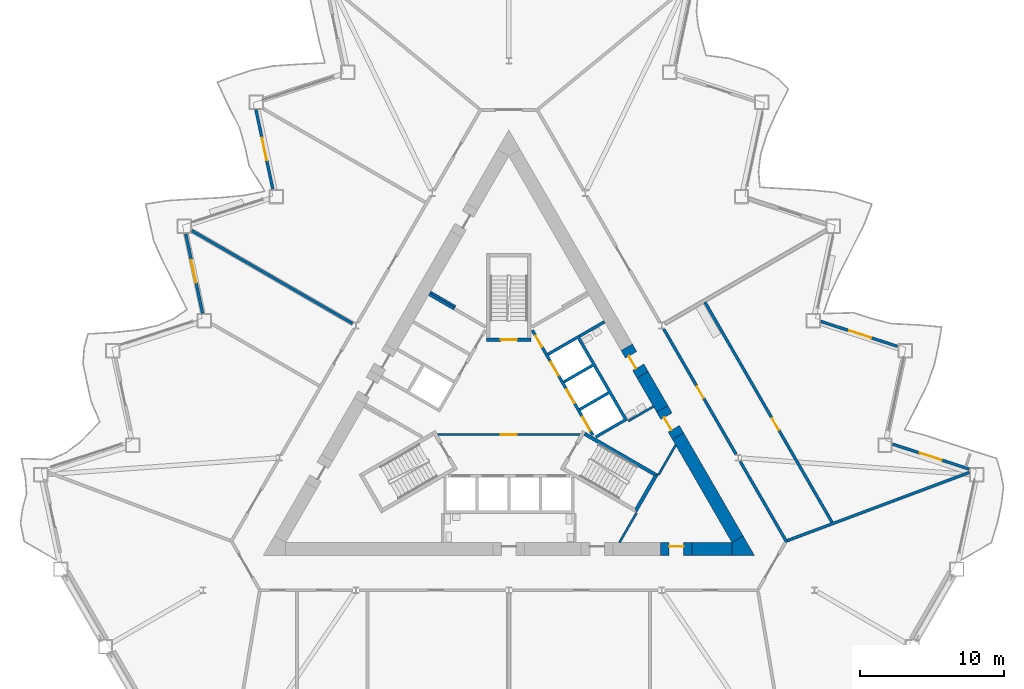
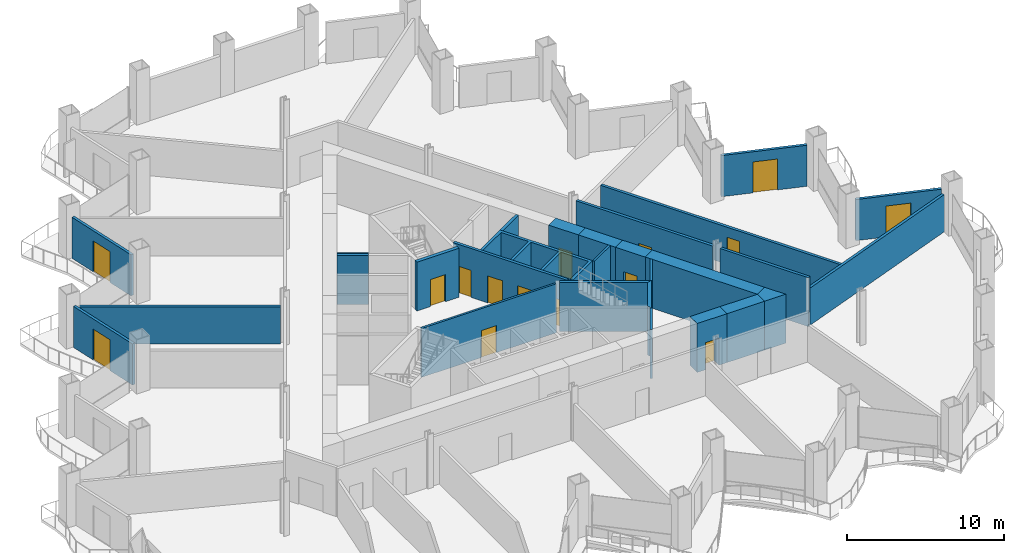
# One storey, part 11 of 20: 28 walls, 15 doors, 15 openings.
"""IFC4 building model written with IfcOpenShell, lengths in metres."""

from ifc_helpers import new_model, si_unit, direction, frame, frame_2d, origin, place, context, subcontext, project, spatial, polyline, rectangle, outline, extrude, material, layer, layer_set, type_object, element, fill, save


model = new_model("IFC4")

# Units and contexts
model_context = context("Model", 3, precision=1e-05, world=origin(), true_north=direction((0.0, 1.0)))
body_context = subcontext(model_context, "Body", "Model", "MODEL_VIEW")
ifc_project = project(units=[si_unit("LENGTHUNIT", "METRE"), si_unit("AREAUNIT", "SQUARE_METRE"), si_unit("VOLUMEUNIT", "CUBIC_METRE"), si_unit("PLANEANGLEUNIT", "RADIAN"), si_unit("MASSUNIT", "GRAM", prefix="KILO")], contexts=[model_context])

# Site, building, storey
site_placement = place(None, origin())
site = spatial("IfcSite", under=ifc_project, at=site_placement, CompositionType="ELEMENT")
building_placement = place(site_placement, origin())
building = spatial("IfcBuilding", under=site, at=building_placement, Name="Cormorant Prow Tower", CompositionType="ELEMENT")
storey_placement = place(building_placement, frame((0.0, 0.0, 55.199951171875)))
storey = spatial("IfcBuildingStorey", under=building, at=storey_placement, Name="L11", CompositionType="ELEMENT", Elevation=55.199951171875)

# Wall, opening, door
ifc_material_1 = material(Name="Gypsum board partition")
ifc_layer_1 = layer(ifc_material_1, 0.14990234375)
ifc_layer_set_1 = layer_set([ifc_layer_1], Name="Gypsum board partition")
wall_type_1 = type_object("IfcWallType", Name="Core partition 150", PredefinedType="PARTITIONING", material=ifc_layer_set_1)
wall_1_placement = place(storey_placement, frame((-4.941162109375, -1.449951171875, 0.0), z_axis=(0.0, 0.0, 1.0), x_axis=(1.0, 0.0, 0.0)))
wall_1 = element("IfcWall", 1, at=wall_1_placement, inside=storey, type_object=wall_type_1, Name="Firefighting lobby partition", PredefinedType="PARTITIONING", context=body_context, shape_type="SweptSolid", body=[
    extrude(rectangle(XDim=9.88232421875, YDim=0.14990234375, at=frame_2d((4.941162109375, 0.0))), origin(), (0.0, 0.0, 1.0), 3.800048828125),
])
opening_1_placement = place(wall_1_placement, frame((4.39111328125, 0.0, 0.0)))
opening_1 = element("IfcOpeningElement", 2, at=opening_1_placement, cuts=wall_1, Name="Opening L11-C11", PredefinedType="OPENING", context=body_context, shape_type="SweptSolid", body=[
    extrude(rectangle(XDim=1.10009765625, YDim=2.10009765625, at=frame_2d((0.550048828125, 1.050048828125))), frame((0.0, 0.0849609375, 0.0), z_axis=(0.0, -1.0, 0.0), x_axis=(1.0, 0.0, 0.0)), (0.0, 0.0, 1.0), 0.169921875),
])
ifc_material_2 = material(Name="Painted steel", Category="steel")
door_type_1 = type_object("IfcDoorType", Name="Firefighting lobby door 1100x2100", OperationType="NOTDEFINED", PredefinedType="DOOR", material=ifc_material_2)
door_1_placement = place(opening_1_placement, origin())
door_1 = element("IfcDoor", 3, at=door_1_placement, inside=storey, type_object=door_type_1, Name="Firefighting lobby door", OperationType="SINGLE_SWING_RIGHT", OverallHeight=2.10009765625, OverallWidth=1.10009765625, PredefinedType="DOOR", context=body_context, shape_type="SweptSolid", body=[
    extrude(rectangle(XDim=1.10009765625, YDim=2.10009765625, at=frame_2d((0.550048828125, 1.050048828125))), frame((0.0, 0.02490234375, 0.0), z_axis=(0.0, -1.0, 0.0), x_axis=(1.0, 0.0, 0.0)), (0.0, 0.0, 1.0), 0.050048828125),
])
fill(opening_1, door_1)

# Walls
for number, where, z_axis, x_axis, name in (
    (4, (8.268310546875, -0.509033203125, 0.0), (0.0, 0.0, 1.0), (0.866035824272, 0.499981950752, 0.0), "Service room partition"),
    (5, (-3.693359375, 7.4150390625, 0.0), (0.0, 0.0, 1.0), (-0.866035824272, 0.499981950752, 0.0), "Service room partition"),
):
    element("IfcWall", number, at=place(storey_placement, frame(where, z_axis=z_axis, x_axis=x_axis)), inside=storey, type_object=wall_type_1, Name=name, PredefinedType="PARTITIONING", context=body_context, shape_type="SweptSolid", body=[
        extrude(rectangle(XDim=2.0087890625, YDim=0.14990234375, at=frame_2d((1.00439453125, 0.0))), origin(), (0.0, 0.0, 1.0), 3.800048828125),
    ])
wall_2_placement = place(storey_placement, frame((8.82958984375, -6.880615234375, 0.0), z_axis=(0.0, 0.0, 1.0), x_axis=(-0.500073279432, -0.865983091751, 0.0)))
element("IfcWall", 6, at=wall_2_placement, inside=storey, type_object=wall_type_1, Name="Service room partition", PredefinedType="PARTITIONING", context=body_context, shape_type="SweptSolid", body=[
    extrude(rectangle(XDim=2.349365234375, YDim=0.14990234375, at=frame_2d((1.1748046875, 0.0))), origin(), (0.0, 0.0, 1.0), 3.800048828125),
])
wall_3_placement = place(storey_placement, frame((10.37353515625, -4.206298828125, 0.0), z_axis=(0.0, 0.0, 1.0), x_axis=(0.499995339376, 0.86602809458, 0.0)))
element("IfcWall", 7, at=wall_3_placement, inside=storey, type_object=wall_type_1, Name="Service room partition", PredefinedType="PARTITIONING", context=body_context, shape_type="SweptSolid", body=[
    extrude(rectangle(XDim=2.34912109375, YDim=0.14990234375, at=frame_2d((1.174560546875, 0.0))), origin(), (0.0, 0.0, 1.0), 3.800048828125),
])
ifc_material_3 = material(Name="Concrete 8000 psi", Category="concrete")
ifc_layer_2 = layer(ifc_material_3, 0.89990234375)
ifc_layer_set_2 = layer_set([ifc_layer_2], Name="Concrete 8000 psi")
wall_type_2 = type_object("IfcWallType", Name="Core shear wall 900", PredefinedType="SHEAR", material=ifc_layer_set_2)
wall_4_placement = place(storey_placement, frame((12.69140625, -9.364990234375, 0.0), z_axis=(0.0, 0.0, 1.0), x_axis=(1.0, 0.0, 0.0)))
element("IfcWall", 8, at=wall_4_placement, inside=storey, type_object=wall_type_2, Name="Core wall", PredefinedType="SHEAR", context=body_context, shape_type="SweptSolid", body=[
    extrude(rectangle(XDim=2.749755859375, YDim=0.89990234375, at=frame_2d((1.375, 0.0))), origin(), (0.0, 0.0, 1.0), 3.800048828125),
])
wall_5_placement = place(storey_placement, frame((15.830810546875, -8.68994140625, 0.0), z_axis=(0.0, 0.0, 1.0), x_axis=(-0.499995435471, 0.8660280391, 0.0)))
element("IfcWall", 9, at=wall_5_placement, inside=storey, type_object=wall_type_2, Name="Core wall", PredefinedType="SHEAR", context=body_context, shape_type="SweptSolid", body=[
    extrude(rectangle(XDim=8.23193359375, YDim=0.89990234375, at=frame_2d((4.115966796875, 0.0))), origin(), (0.0, 0.0, 1.0), 3.800048828125),
])
wall_6_placement = place(storey_placement, frame((10.614990234375, 0.344482421875, 0.0), z_axis=(0.0, 0.0, 1.0), x_axis=(-0.500044870432, 0.865999496279, 0.0)))
element("IfcWall", 10, at=wall_6_placement, inside=storey, type_object=wall_type_2, Name="Core wall", PredefinedType="SHEAR", context=body_context, shape_type="SweptSolid", body=[
    extrude(rectangle(XDim=2.709228515625, YDim=0.89990234375, at=frame_2d((1.3544921875, 0.0))), origin(), (0.0, 0.0, 1.0), 3.800048828125),
])
wall_7_placement = place(storey_placement, origin())
element("IfcWall", 11, at=wall_7_placement, inside=storey, type_object=wall_type_2, Name="Core wall corner", PredefinedType="SHEAR", context=body_context, shape_type="SweptSolid", body=[
    extrude(outline(polyline([(15.441162109375, -9.81494140625), (15.441162109375, -8.9150390625), (16.220703125, -8.465087890625), (17.0, -9.81494140625), (15.441162109375, -9.81494140625)])), origin(), (0.0, 0.0, 1.0), 3.800048828125),
])

# Wall, opening, door
wall_8_placement = place(storey_placement, frame((10.491455078125, -9.364990234375, 0.0), z_axis=(0.0, 0.0, 1.0), x_axis=(1.0, 0.0, 0.0)))
wall_8 = element("IfcWall", 12, at=wall_8_placement, inside=storey, type_object=wall_type_2, Name="Core wall door panel", PredefinedType="SHEAR", context=body_context, shape_type="SweptSolid", body=[
    extrude(rectangle(XDim=2.199951171875, YDim=0.89990234375, at=frame_2d((1.10009765625, 0.0))), origin(), (0.0, 0.0, 1.0), 3.800048828125),
])
opening_2_placement = place(wall_8_placement, frame((0.60009765625, 0.0, 0.0)))
opening_2 = element("IfcOpeningElement", 13, at=opening_2_placement, cuts=wall_8, Name="Opening L11-C17", PredefinedType="OPENING", context=body_context, shape_type="SweptSolid", body=[
    extrude(rectangle(XDim=1.0, YDim=2.10009765625, at=frame_2d((0.5, 1.050048828125))), frame((0.0, 0.4599609375, 0.0), z_axis=(0.0, -1.0, 0.0), x_axis=(1.0, 0.0, 0.0)), (0.0, 0.0, 1.0), 0.919921875),
])
ifc_material_4 = material(Name="Painted steel", Category="steel")
door_type_2 = type_object("IfcDoorType", Name="Service door 1000x2100", OperationType="NOTDEFINED", PredefinedType="DOOR", material=ifc_material_4)
door_2_placement = place(opening_2_placement, origin())
door_2 = element("IfcDoor", 14, at=door_2_placement, inside=storey, type_object=door_type_2, Name="Core door, Mechanical riser room", OperationType="SINGLE_SWING_LEFT", OverallHeight=2.10009765625, OverallWidth=1.0, PredefinedType="DOOR", context=body_context, shape_type="SweptSolid", body=[
    extrude(rectangle(XDim=1.0, YDim=2.10009765625, at=frame_2d((0.5, 1.050048828125))), frame((0.0, 0.205078125, 0.0), z_axis=(0.0, -1.0, 0.0), x_axis=(1.0, 0.0, 0.0)), (0.0, 0.0, 1.0), 0.050048828125),
])
fill(opening_2, door_2)

wall_9_placement = place(storey_placement, frame((9.26025390625, 2.690673828125, 0.0), z_axis=(0.0, 0.0, 1.0), x_axis=(-0.499946605688, 0.86605622881, 0.0)))
wall_9 = element("IfcWall", 15, at=wall_9_placement, inside=storey, type_object=wall_type_2, Name="Core wall door panel", PredefinedType="SHEAR", context=body_context, shape_type="SweptSolid", body=[
    extrude(rectangle(XDim=2.199951171875, YDim=0.89990234375, at=frame_2d((1.10009765625, 0.0))), origin(), (0.0, 0.0, 1.0), 3.800048828125),
])
opening_3_placement = place(wall_9_placement, frame((0.60009765625, 0.0, 0.0)))
opening_3 = element("IfcOpeningElement", 16, at=opening_3_placement, cuts=wall_9, Name="Opening L11-C18", PredefinedType="OPENING", context=body_context, shape_type="SweptSolid", body=[
    extrude(rectangle(XDim=1.0, YDim=2.10009765625, at=frame_2d((0.5, 1.050048828125))), frame((0.0, 0.4599609375, 0.0), z_axis=(0.0, -1.0, 0.0), x_axis=(1.0, 0.0, 0.0)), (0.0, 0.0, 1.0), 0.919921875),
])
door_3_placement = place(opening_3_placement, origin())
door_3 = element("IfcDoor", 17, at=door_3_placement, inside=storey, type_object=door_type_2, Name="Core door, Toilets (men) L11", OperationType="SINGLE_SWING_RIGHT", OverallHeight=2.10009765625, OverallWidth=1.0, PredefinedType="DOOR", context=body_context, shape_type="SweptSolid", body=[
    extrude(rectangle(XDim=1.0, YDim=2.10009765625, at=frame_2d((0.5, 1.050048828125))), frame((0.0, 0.205078125, 0.0), z_axis=(0.0, -1.0, 0.0), x_axis=(1.0, 0.0, 0.0)), (0.0, 0.0, 1.0), 0.050048828125),
])
fill(opening_3, door_3)

wall_10_placement = place(storey_placement, frame((11.71484375, -1.560791015625, 0.0), z_axis=(0.0, 0.0, 1.0), x_axis=(-0.499946605688, 0.86605622881, 0.0)))
wall_10 = element("IfcWall", 18, at=wall_10_placement, inside=storey, type_object=wall_type_2, Name="Core wall door panel", PredefinedType="SHEAR", context=body_context, shape_type="SweptSolid", body=[
    extrude(rectangle(XDim=2.199951171875, YDim=0.89990234375, at=frame_2d((1.10009765625, 0.0))), origin(), (0.0, 0.0, 1.0), 3.800048828125),
])
opening_4_placement = place(wall_10_placement, frame((0.60009765625, 0.0, 0.0)))
opening_4 = element("IfcOpeningElement", 19, at=opening_4_placement, cuts=wall_10, Name="Opening L11-C21", PredefinedType="OPENING", context=body_context, shape_type="SweptSolid", body=[
    extrude(rectangle(XDim=1.0, YDim=2.10009765625, at=frame_2d((0.5, 1.050048828125))), frame((0.0, 0.4599609375, 0.0), z_axis=(0.0, -1.0, 0.0), x_axis=(1.0, 0.0, 0.0)), (0.0, 0.0, 1.0), 0.919921875),
])
door_4_placement = place(opening_4_placement, origin())
door_4 = element("IfcDoor", 20, at=door_4_placement, inside=storey, type_object=door_type_2, Name="Core door, Mechanical riser room", OperationType="SINGLE_SWING_LEFT", OverallHeight=2.10009765625, OverallWidth=1.0, PredefinedType="DOOR", context=body_context, shape_type="SweptSolid", body=[
    extrude(rectangle(XDim=1.0, YDim=2.10009765625, at=frame_2d((0.5, 1.050048828125))), frame((0.0, 0.205078125, 0.0), z_axis=(0.0, -1.0, 0.0), x_axis=(1.0, 0.0, 0.0)), (0.0, 0.0, 1.0), 0.050048828125),
])
fill(opening_4, door_4)

ifc_material_5 = material(Name="Gypsum board corridor wall")
ifc_layer_3 = layer(ifc_material_5, 0.199951171875)
ifc_layer_set_3 = layer_set([ifc_layer_3], Name="Gypsum board corridor wall")
wall_type_3 = type_object("IfcWallType", Name="Corridor wall 200", PredefinedType="PARTITIONING", material=ifc_layer_set_3)
wall_11_placement = place(storey_placement, frame((10.718505859375, 5.865234375, 0.0), z_axis=(0.0, 0.0, 1.0), x_axis=(0.49999175339, -0.866030164915, 0.0)))
wall_11 = element("IfcWall", 21, at=wall_11_placement, inside=storey, type_object=wall_type_3, Name="Corridor wall", PredefinedType="PARTITIONING", context=body_context, shape_type="SweptSolid", body=[
    extrude(rectangle(XDim=10.018798828125, YDim=0.199951171875, at=frame_2d((5.00927734375, 0.0))), origin(), (0.0, 0.0, 1.0), 3.800048828125),
])
opening_5_placement = place(wall_11_placement, frame((4.5849609375, 0.0, 0.0)))
opening_5 = element("IfcOpeningElement", 22, at=opening_5_placement, cuts=wall_11, Name="Opening L11-F07", PredefinedType="OPENING", context=body_context, shape_type="SweptSolid", body=[
    extrude(rectangle(XDim=0.949951171875, YDim=2.10009765625, at=frame_2d((0.47509765625, 1.050048828125))), frame((0.0, 0.10986328125, 0.0), z_axis=(0.0, -1.0, 0.0), x_axis=(1.0, 0.0, 0.0)), (0.0, 0.0, 1.0), 0.219970703125),
])
ifc_material_6 = material(Name="Timber door leaf", Category="wood")
door_type_3 = type_object("IfcDoorType", Name="Store door 950x2100", OperationType="NOTDEFINED", PredefinedType="DOOR", material=ifc_material_6)
door_5_placement = place(opening_5_placement, origin())
door_5 = element("IfcDoor", 23, at=door_5_placement, inside=storey, type_object=door_type_3, Name="Tea point and pantry door", OperationType="SINGLE_SWING_LEFT", OverallHeight=2.10009765625, OverallWidth=0.949951171875, PredefinedType="DOOR", context=body_context, shape_type="SweptSolid", body=[
    extrude(rectangle(XDim=0.949951171875, YDim=2.10009765625, at=frame_2d((0.47509765625, 1.050048828125))), frame((0.0, 0.02490234375, 0.0), z_axis=(0.0, -1.0, 0.0), x_axis=(1.0, 0.0, 0.0)), (0.0, 0.0, 1.0), 0.050048828125),
])
fill(opening_5, door_5)

# Wall
wall_12_placement = place(storey_placement, frame((16.007568359375, -3.2958984375, 0.0), z_axis=(0.0, 0.0, 1.0), x_axis=(0.499984737558, -0.86603421538, 0.0)))
element("IfcWall", 24, at=wall_12_placement, inside=storey, type_object=wall_type_3, Name="Corridor wall", PredefinedType="PARTITIONING", context=body_context, shape_type="SweptSolid", body=[
    extrude(rectangle(XDim=6.472900390625, YDim=0.199951171875, at=frame_2d((3.236328125, 0.0))), origin(), (0.0, 0.0, 1.0), 3.800048828125),
])

# Wall, opening, door
ifc_material_7 = material(Name="Gypsum board demising wall")
ifc_layer_4 = layer(ifc_material_7, 0.199951171875)
ifc_layer_set_4 = layer_set([ifc_layer_4], Name="Gypsum board demising wall")
wall_type_4 = type_object("IfcWallType", Name="Demising wall 200", PredefinedType="PARTITIONING", material=ifc_layer_set_4)
wall_13_placement = place(storey_placement, frame((13.572998046875, 7.720947265625, 0.0), z_axis=(0.0, 0.0, 1.0), x_axis=(0.499990262232, -0.866031025814, 0.0)))
wall_13 = element("IfcWall", 25, at=wall_13_placement, inside=storey, type_object=wall_type_4, Name="Demising wall", PredefinedType="PARTITIONING", context=body_context, shape_type="SweptSolid", body=[
    extrude(rectangle(XDim=17.597412109375, YDim=0.199951171875, at=frame_2d((8.798828125, 0.0))), origin(), (0.0, 0.0, 1.0), 2.88525390625),
])
opening_6_placement = place(wall_13_placement, frame((9.276611328125, 0.0, 0.0)))
opening_6 = element("IfcOpeningElement", 26, at=opening_6_placement, cuts=wall_13, Name="Opening L11-F08", PredefinedType="OPENING", context=body_context, shape_type="SweptSolid", body=[
    extrude(rectangle(XDim=0.949951171875, YDim=2.10009765625, at=frame_2d((0.47509765625, 1.050048828125))), frame((0.0, 0.10986328125, 0.0), z_axis=(0.0, -1.0, 0.0), x_axis=(1.0, 0.0, 0.0)), (0.0, 0.0, 1.0), 0.219970703125),
])
door_6_placement = place(opening_6_placement, origin())
door_6 = element("IfcDoor", 27, at=door_6_placement, inside=storey, type_object=door_type_3, Name="Print and copy room door", OperationType="SINGLE_SWING_RIGHT", OverallHeight=2.10009765625, OverallWidth=0.949951171875, PredefinedType="DOOR", context=body_context, shape_type="SweptSolid", body=[
    extrude(rectangle(XDim=0.949951171875, YDim=2.10009765625, at=frame_2d((0.47509765625, 1.050048828125))), frame((0.0, 0.02490234375, 0.0), z_axis=(0.0, -1.0, 0.0), x_axis=(1.0, 0.0, 0.0)), (0.0, 0.0, 1.0), 0.050048828125),
])
fill(opening_6, door_6)

# Walls
wall_14_placement = place(storey_placement, frame((19.28759765625, -8.77978515625, 0.0), z_axis=(0.0, 0.0, 1.0), x_axis=(0.93644254502, 0.350820979814, 0.0)))
element("IfcWall", 28, at=wall_14_placement, inside=storey, type_object=wall_type_4, Name="Demising wall", PredefinedType="PARTITIONING", context=body_context, shape_type="SweptSolid", body=[
    extrude(rectangle(XDim=13.446533203125, YDim=0.199951171875, at=frame_2d((6.72314453125, 0.0))), origin(), (0.0, 0.0, 1.0), 2.88525390625),
])
wall_15_placement = place(storey_placement, frame((-21.947265625, 12.671142578125, 0.0), z_axis=(0.0, 0.0, 1.0), x_axis=(0.866026729935, -0.499997703033, 0.0)))
element("IfcWall", 29, at=wall_15_placement, inside=storey, type_object=wall_type_4, Name="Demising wall", PredefinedType="PARTITIONING", context=body_context, shape_type="SweptSolid", body=[
    extrude(rectangle(XDim=12.84765625, YDim=0.199951171875, at=frame_2d((6.423828125, 0.0))), origin(), (0.0, 0.0, 1.0), 2.88525390625),
])

# Wall, openings, doors
ifc_material_8 = material(Name="Concrete 5000 psi", Category="concrete")
ifc_layer_5 = layer(ifc_material_8, 0.199951171875)
ifc_layer_set_5 = layer_set([ifc_layer_5], Name="Concrete 5000 psi")
wall_type_5 = type_object("IfcWallType", Name="Lift lobby wall 200", PredefinedType="SOLIDWALL", material=ifc_layer_set_5)
wall_16_placement = place(storey_placement, frame((5.817138671875, -1.4755859375, 0.0), z_axis=(0.0, 0.0, 1.0), x_axis=(-0.500002616675, 0.866023893041, 0.0)))
wall_16 = element("IfcWall", 30, at=wall_16_placement, inside=storey, type_object=wall_type_5, Name="Lift lobby wall, ENE block", PredefinedType="SOLIDWALL", context=body_context, shape_type="SweptSolid", body=[
    extrude(rectangle(XDim=8.373046875, YDim=0.199951171875, at=frame_2d((4.1865234375, 0.0))), origin(), (0.0, 0.0, 1.0), 3.800048828125),
])
opening_7_placement = place(wall_16_placement, frame((0.336669921875, 0.0, 0.0)))
opening_7 = element("IfcOpeningElement", 31, at=opening_7_placement, cuts=wall_16, Name="Opening L11-C05", PredefinedType="OPENING", context=body_context, shape_type="SweptSolid", body=[
    extrude(rectangle(XDim=1.10009765625, YDim=2.10009765625, at=frame_2d((0.550048828125, 1.050048828125))), frame((0.0, 0.10986328125, 0.0), z_axis=(0.0, -1.0, 0.0), x_axis=(1.0, 0.0, 0.0)), (0.0, 0.0, 1.0), 0.219970703125),
])
opening_8_placement = place(wall_16_placement, frame((2.53662109375, 0.0, 0.0)))
opening_8 = element("IfcOpeningElement", 32, at=opening_8_placement, cuts=wall_16, Name="Opening L11-C06", PredefinedType="OPENING", context=body_context, shape_type="SweptSolid", body=[
    extrude(rectangle(XDim=1.10009765625, YDim=2.10009765625, at=frame_2d((0.550048828125, 1.050048828125))), frame((0.0, 0.10986328125, 0.0), z_axis=(0.0, -1.0, 0.0), x_axis=(1.0, 0.0, 0.0)), (0.0, 0.0, 1.0), 0.219970703125),
])
opening_9_placement = place(wall_16_placement, frame((4.736572265625, 0.0, 0.0)))
opening_9 = element("IfcOpeningElement", 33, at=opening_9_placement, cuts=wall_16, Name="Opening L11-C07", PredefinedType="OPENING", context=body_context, shape_type="SweptSolid", body=[
    extrude(rectangle(XDim=1.10009765625, YDim=2.10009765625, at=frame_2d((0.550048828125, 1.050048828125))), frame((0.0, 0.10986328125, 0.0), z_axis=(0.0, -1.0, 0.0), x_axis=(1.0, 0.0, 0.0)), (0.0, 0.0, 1.0), 0.219970703125),
])
opening_10_placement = place(wall_16_placement, frame((7.03662109375, 0.0, 0.0)))
opening_10 = element("IfcOpeningElement", 34, at=opening_10_placement, cuts=wall_16, Name="Opening L11-C08", PredefinedType="OPENING", context=body_context, shape_type="SweptSolid", body=[
    extrude(rectangle(XDim=0.89990234375, YDim=2.10009765625, at=frame_2d((0.449951171875, 1.050048828125))), frame((0.0, 0.10986328125, 0.0), z_axis=(0.0, -1.0, 0.0), x_axis=(1.0, 0.0, 0.0)), (0.0, 0.0, 1.0), 0.219970703125),
])
ifc_material_9 = material(Name="Painted steel", Category="steel")
door_type_4 = type_object("IfcDoorType", Name="Lift landing door 1100x2100", OperationType="SLIDING_TO_LEFT", PredefinedType="DOOR", material=ifc_material_9)
door_7_placement = place(opening_7_placement, origin())
door_7 = element("IfcDoor", 35, at=door_7_placement, inside=storey, type_object=door_type_4, Name="Landing door LR2", OperationType="SLIDING_TO_LEFT", OverallHeight=2.10009765625, OverallWidth=1.10009765625, PredefinedType="DOOR", context=body_context, shape_type="SweptSolid", body=[
    extrude(rectangle(XDim=1.10009765625, YDim=2.10009765625, at=frame_2d((0.550048828125, 1.050048828125))), frame((0.0, 0.02490234375, 0.0), z_axis=(0.0, -1.0, 0.0), x_axis=(1.0, 0.0, 0.0)), (0.0, 0.0, 1.0), 0.050048828125),
])
fill(opening_7, door_7)
door_8_placement = place(opening_8_placement, origin())
door_8 = element("IfcDoor", 36, at=door_8_placement, inside=storey, type_object=door_type_4, Name="Landing door LR3", OperationType="SLIDING_TO_LEFT", OverallHeight=2.10009765625, OverallWidth=1.10009765625, PredefinedType="DOOR", context=body_context, shape_type="SweptSolid", body=[
    extrude(rectangle(XDim=1.10009765625, YDim=2.10009765625, at=frame_2d((0.550048828125, 1.050048828125))), frame((0.0, 0.02490234375, 0.0), z_axis=(0.0, -1.0, 0.0), x_axis=(1.0, 0.0, 0.0)), (0.0, 0.0, 1.0), 0.050048828125),
])
fill(opening_8, door_8)
door_9_placement = place(opening_9_placement, origin())
door_9 = element("IfcDoor", 37, at=door_9_placement, inside=storey, type_object=door_type_4, Name="Landing door LR4", OperationType="SLIDING_TO_LEFT", OverallHeight=2.10009765625, OverallWidth=1.10009765625, PredefinedType="DOOR", context=body_context, shape_type="SweptSolid", body=[
    extrude(rectangle(XDim=1.10009765625, YDim=2.10009765625, at=frame_2d((0.550048828125, 1.050048828125))), frame((0.0, 0.02490234375, 0.0), z_axis=(0.0, -1.0, 0.0), x_axis=(1.0, 0.0, 0.0)), (0.0, 0.0, 1.0), 0.050048828125),
])
fill(opening_9, door_9)
ifc_material_10 = material(Name="Painted steel", Category="steel")
door_type_5 = type_object("IfcDoorType", Name="Service door 900x2100", OperationType="NOTDEFINED", PredefinedType="DOOR", material=ifc_material_10)
door_10_placement = place(opening_10_placement, origin())
door_10 = element("IfcDoor", 38, at=door_10_placement, inside=storey, type_object=door_type_5, Name="Service door, Electrical room", OperationType="SINGLE_SWING_RIGHT", OverallHeight=2.10009765625, OverallWidth=0.89990234375, PredefinedType="DOOR", context=body_context, shape_type="SweptSolid", body=[
    extrude(rectangle(XDim=0.89990234375, YDim=2.10009765625, at=frame_2d((0.449951171875, 1.050048828125))), frame((0.0, 0.02490234375, 0.0), z_axis=(0.0, -1.0, 0.0), x_axis=(1.0, 0.0, 0.0)), (0.0, 0.0, 1.0), 0.050048828125),
])
fill(opening_10, door_10)

# Walls
ifc_material_11 = material(Name="Concrete 8000 psi", Category="concrete")
ifc_layer_6 = layer(ifc_material_11, 0.199951171875)
ifc_layer_set_6 = layer_set([ifc_layer_6], Name="Concrete 8000 psi")
wall_type_6 = type_object("IfcWallType", Name="Lift shaft wall 200", PredefinedType="SHEAR", material=ifc_layer_set_6)
wall_17_placement = place(storey_placement, origin())
element("IfcWall", 39, at=wall_17_placement, inside=storey, type_object=wall_type_6, Name="Lift shaft walls, ENE block", PredefinedType="SHEAR", context=body_context, shape_type="SweptSolid", body=[
    extrude(outline(polyline([(2.660400390625, 4.19189453125), (4.830810546875, 5.44482421875), (8.230712890625, -0.444091796875), (6.060546875, -1.697021484375), (5.96044921875, -1.52392578125), (7.952392578125, -0.373779296875), (6.952392578125, 1.358154296875), (4.96044921875, 0.2080078125), (4.860595703125, 0.38134765625), (6.852294921875, 1.53125), (5.852294921875, 3.263427734375), (3.860595703125, 2.11328125), (3.760498046875, 2.28662109375), (5.75244140625, 3.4365234375), (4.75244140625, 5.168701171875), (2.760498046875, 4.018798828125), (2.660400390625, 4.19189453125)])), origin(), (0.0, 0.0, 1.0), 3.800048828125),
])
wall_18_placement = place(storey_placement, frame((4.880859375, 5.3583984375, 0.0), z_axis=(0.0, 0.0, 1.0), x_axis=(0.866035824272, 0.499981950752, 0.0)))
element("IfcWall", 40, at=wall_18_placement, inside=storey, type_object=wall_type_6, Name="Store side wall", PredefinedType="SHEAR", context=body_context, shape_type="SweptSolid", body=[
    extrude(rectangle(XDim=2.0087890625, YDim=0.199951171875, at=frame_2d((1.00439453125, 0.0))), origin(), (0.0, 0.0, 1.0), 3.800048828125),
])
wall_19_placement = place(storey_placement, frame((-3.78076171875, 7.263427734375, 0.0), z_axis=(0.0, 0.0, 1.0), x_axis=(-0.865983199114, 0.50007309351, 0.0)))
element("IfcWall", 41, at=wall_19_placement, inside=storey, type_object=wall_type_6, Name="Store side wall", PredefinedType="SHEAR", context=body_context, shape_type="SweptSolid", body=[
    extrude(rectangle(XDim=2.009033203125, YDim=0.199951171875, at=frame_2d((1.00439453125, 0.0))), origin(), (0.0, 0.0, 1.0), 3.800048828125),
])
ifc_material_12 = material(Name="Concrete 8000 psi", Category="concrete")
ifc_layer_7 = layer(ifc_material_12, 0.25)
ifc_layer_set_7 = layer_set([ifc_layer_7], Name="Concrete 8000 psi")
wall_type_7 = type_object("IfcWallType", Name="Stair wall 250", PredefinedType="SHEAR", material=ifc_layer_set_7)
wall_20_placement = place(storey_placement, origin())
element("IfcWall", 42, at=wall_20_placement, inside=storey, type_object=wall_type_7, Name="Stair ST2 enclosure wall (end)", PredefinedType="SHEAR", context=body_context, shape_type="SweptSolid", body=[
    extrude(outline(polyline([(8.82958984375, -6.880615234375), (10.37353515625, -4.206298828125), (10.031982421875, -4.2978515625), (8.738037109375, -6.5390625), (8.82958984375, -6.880615234375)])), origin(), (0.0, 0.0, 1.0), 3.800048828125),
])
wall_21_placement = place(storey_placement, origin())
element("IfcWall", 43, at=wall_21_placement, inside=storey, type_object=wall_type_7, Name="Stair ST2 enclosure wall (flank)", PredefinedType="SHEAR", context=body_context, shape_type="SweptSolid", body=[
    extrude(outline(polyline([(10.031982421875, -4.2978515625), (10.37353515625, -4.206298828125), (5.30712890625, -1.28125), (5.18212890625, -1.497802734375), (10.031982421875, -4.2978515625)])), origin(), (0.0, 0.0, 1.0), 3.800048828125),
])

# Wall, opening, door
wall_22_placement = place(storey_placement, frame((1.5439453125, 5.11181640625, 0.0), z_axis=(0.0, 0.0, 1.0), x_axis=(-1.0, 0.0, 0.0)))
wall_22 = element("IfcWall", 44, at=wall_22_placement, inside=storey, type_object=wall_type_7, Name="Stair ST3 door wall", PredefinedType="SHEAR", context=body_context, shape_type="SweptSolid", body=[
    extrude(rectangle(XDim=3.087890625, YDim=0.25, at=frame_2d((1.5439453125, 0.0))), origin(), (0.0, 0.0, 1.0), 3.800048828125),
])
opening_11_placement = place(wall_22_placement, frame((0.993896484375, 0.0, 0.0)))
opening_11 = element("IfcOpeningElement", 45, at=opening_11_placement, cuts=wall_22, Name="Opening L11-C14", PredefinedType="OPENING", context=body_context, shape_type="SweptSolid", body=[
    extrude(rectangle(XDim=1.10009765625, YDim=2.10009765625, at=frame_2d((0.550048828125, 1.050048828125))), frame((0.0, 0.135009765625, 0.0), z_axis=(0.0, -1.0, 0.0), x_axis=(1.0, 0.0, 0.0)), (0.0, 0.0, 1.0), 0.27001953125),
])
ifc_material_13 = material(Name="Painted steel", Category="steel")
door_type_6 = type_object("IfcDoorType", Name="Stair door 1100x2100", OperationType="NOTDEFINED", PredefinedType="DOOR", material=ifc_material_13)
door_11_placement = place(opening_11_placement, origin())
door_11 = element("IfcDoor", 46, at=door_11_placement, inside=storey, type_object=door_type_6, Name="Stair ST3 door", OperationType="SINGLE_SWING_LEFT", OverallHeight=2.10009765625, OverallWidth=1.10009765625, PredefinedType="DOOR", context=body_context, shape_type="SweptSolid", body=[
    extrude(rectangle(XDim=1.10009765625, YDim=2.10009765625, at=frame_2d((0.550048828125, 1.050048828125))), frame((0.0, 0.02490234375, 0.0), z_axis=(0.0, -1.0, 0.0), x_axis=(1.0, 0.0, 0.0)), (0.0, 0.0, 1.0), 0.050048828125),
])
fill(opening_11, door_11)

ifc_material_14 = material(Name="Terracotta", Category="masonry")
ifc_layer_8 = layer(ifc_material_14, 0.199951171875)
ifc_layer_set_8 = layer_set([ifc_layer_8], Name="Terracotta")
wall_type_8 = type_object("IfcWallType", Name="Terracotta jamb wall 200", PredefinedType="SOLIDWALL", material=ifc_layer_set_8)
wall_23_placement = place(storey_placement, frame((31.86474609375, -3.830078125, 0.0), z_axis=(0.0, 0.0, 1.0), x_axis=(-0.951054004345, 0.309024725255, 0.0)))
wall_23 = element("IfcWall", 47, at=wall_23_placement, inside=storey, type_object=wall_type_8, Name="Terracotta jamb wall ENE01", PredefinedType="SOLIDWALL", context=body_context, shape_type="SweptSolid", body=[
    extrude(rectangle(XDim=5.579345703125, YDim=0.199951171875, at=frame_2d((2.78955078125, 0.0))), origin(), (0.0, 0.0, 1.0), 3.18896484375),
])
opening_12_placement = place(wall_23_placement, frame((1.992431640625, 0.0, 0.0)))
opening_12 = element("IfcOpeningElement", 48, at=opening_12_placement, cuts=wall_23, Name="Opening ED11.06", PredefinedType="OPENING", context=body_context, shape_type="SweptSolid", body=[
    extrude(rectangle(XDim=1.60009765625, YDim=2.39990234375, at=frame_2d((0.800048828125, 1.199951171875))), frame((0.0, 0.10986328125, 0.0), z_axis=(0.0, -1.0, 0.0), x_axis=(1.0, 0.0, 0.0)), (0.0, 0.0, 1.0), 0.219970703125),
])
ifc_material_15 = material(Name="Aluminium 6063-T6", Category="aluminium")
door_type_7 = type_object("IfcDoorType", Name="Balcony door 1600x2400", OperationType="DOUBLE_DOOR_SINGLE_SWING", PredefinedType="DOOR", material=ifc_material_15)
door_12_placement = place(opening_12_placement, origin())
door_12 = element("IfcDoor", 49, at=door_12_placement, inside=storey, type_object=door_type_7, Name="Balcony door ENE01 ED11.06", OperationType="DOUBLE_DOOR_SINGLE_SWING", OverallHeight=2.39990234375, OverallWidth=1.60009765625, PredefinedType="DOOR", context=body_context, shape_type="SweptSolid", body=[
    extrude(rectangle(XDim=1.60009765625, YDim=2.39990234375, at=frame_2d((0.800048828125, 1.199951171875))), frame((0.0, 0.02490234375, 0.0), z_axis=(0.0, -1.0, 0.0), x_axis=(1.0, 0.0, 0.0)), (0.0, 0.0, 1.0), 0.050048828125),
])
fill(opening_12, door_12)

wall_24_placement = place(storey_placement, frame((26.898681640625, 4.6611328125, 0.0), z_axis=(0.0, 0.0, 1.0), x_axis=(-0.951054004345, 0.309024725255, 0.0)))
wall_24 = element("IfcWall", 50, at=wall_24_placement, inside=storey, type_object=wall_type_8, Name="Terracotta jamb wall ENE03", PredefinedType="SOLIDWALL", context=body_context, shape_type="SweptSolid", body=[
    extrude(rectangle(XDim=5.579345703125, YDim=0.199951171875, at=frame_2d((2.78955078125, 0.0))), origin(), (0.0, 0.0, 1.0), 3.18896484375),
])
opening_13_placement = place(wall_24_placement, frame((1.91015625, 0.0, 0.0)))
opening_13 = element("IfcOpeningElement", 51, at=opening_13_placement, cuts=wall_24, Name="Opening ED11.07", PredefinedType="OPENING", context=body_context, shape_type="SweptSolid", body=[
    extrude(rectangle(XDim=1.60009765625, YDim=2.39990234375, at=frame_2d((0.800048828125, 1.199951171875))), frame((0.0, 0.10986328125, 0.0), z_axis=(0.0, -1.0, 0.0), x_axis=(1.0, 0.0, 0.0)), (0.0, 0.0, 1.0), 0.219970703125),
])
door_13_placement = place(opening_13_placement, origin())
door_13 = element("IfcDoor", 52, at=door_13_placement, inside=storey, type_object=door_type_7, Name="Balcony door ENE03 ED11.07", OperationType="DOUBLE_DOOR_SINGLE_SWING", OverallHeight=2.39990234375, OverallWidth=1.60009765625, PredefinedType="DOOR", context=body_context, shape_type="SweptSolid", body=[
    extrude(rectangle(XDim=1.60009765625, YDim=2.39990234375, at=frame_2d((0.800048828125, 1.199951171875))), frame((0.0, 0.02490234375, 0.0), z_axis=(0.0, -1.0, 0.0), x_axis=(1.0, 0.0, 0.0)), (0.0, 0.0, 1.0), 0.050048828125),
])
fill(opening_13, door_13)

wall_25_placement = place(storey_placement, frame((-17.50439453125, 21.050537109375, 0.0), z_axis=(0.0, 0.0, 1.0), x_axis=(0.207901831982, -0.978149696242, 0.0)))
wall_25 = element("IfcWall", 53, at=wall_25_placement, inside=storey, type_object=wall_type_8, Name="Terracotta jamb wall WNW03", PredefinedType="SOLIDWALL", context=body_context, shape_type="SweptSolid", body=[
    extrude(rectangle(XDim=5.626220703125, YDim=0.199951171875, at=frame_2d((2.81298828125, 0.0))), origin(), (0.0, 0.0, 1.0), 3.18896484375),
])
opening_14_placement = place(wall_25_placement, frame((1.998291015625, 0.0, 0.0)))
opening_14 = element("IfcOpeningElement", 54, at=opening_14_placement, cuts=wall_25, Name="Opening ED11.12", PredefinedType="OPENING", context=body_context, shape_type="SweptSolid", body=[
    extrude(rectangle(XDim=1.60009765625, YDim=2.39990234375, at=frame_2d((0.800048828125, 1.199951171875))), frame((0.0, 0.10986328125, 0.0), z_axis=(0.0, -1.0, 0.0), x_axis=(1.0, 0.0, 0.0)), (0.0, 0.0, 1.0), 0.219970703125),
])
door_14_placement = place(opening_14_placement, origin())
door_14 = element("IfcDoor", 55, at=door_14_placement, inside=storey, type_object=door_type_7, Name="Balcony door WNW03 ED11.12", OperationType="DOUBLE_DOOR_SINGLE_SWING", OverallHeight=2.39990234375, OverallWidth=1.60009765625, PredefinedType="DOOR", context=body_context, shape_type="SweptSolid", body=[
    extrude(rectangle(XDim=1.60009765625, YDim=2.39990234375, at=frame_2d((0.800048828125, 1.199951171875))), frame((0.0, 0.02490234375, 0.0), z_axis=(0.0, -1.0, 0.0), x_axis=(1.0, 0.0, 0.0)), (0.0, 0.0, 1.0), 0.050048828125),
])
fill(opening_14, door_14)

wall_26_placement = place(storey_placement, frame((-22.36328125, 12.448974609375, 0.0), z_axis=(0.0, 0.0, 1.0), x_axis=(0.207901831982, -0.978149696242, 0.0)))
wall_26 = element("IfcWall", 56, at=wall_26_placement, inside=storey, type_object=wall_type_8, Name="Terracotta jamb wall WNW05", PredefinedType="SOLIDWALL", context=body_context, shape_type="SweptSolid", body=[
    extrude(rectangle(XDim=5.626220703125, YDim=0.199951171875, at=frame_2d((2.81298828125, 0.0))), origin(), (0.0, 0.0, 1.0), 3.18896484375),
])
opening_15_placement = place(wall_26_placement, frame((1.859619140625, 0.0, 0.0)))
opening_15 = element("IfcOpeningElement", 57, at=opening_15_placement, cuts=wall_26, Name="Opening ED11.13", PredefinedType="OPENING", context=body_context, shape_type="SweptSolid", body=[
    extrude(rectangle(XDim=1.60009765625, YDim=2.39990234375, at=frame_2d((0.800048828125, 1.199951171875))), frame((0.0, 0.10986328125, 0.0), z_axis=(0.0, -1.0, 0.0), x_axis=(1.0, 0.0, 0.0)), (0.0, 0.0, 1.0), 0.219970703125),
])
door_15_placement = place(opening_15_placement, origin())
door_15 = element("IfcDoor", 58, at=door_15_placement, inside=storey, type_object=door_type_7, Name="Balcony door WNW05 ED11.13", OperationType="DOUBLE_DOOR_SINGLE_SWING", OverallHeight=2.39990234375, OverallWidth=1.60009765625, PredefinedType="DOOR", context=body_context, shape_type="SweptSolid", body=[
    extrude(rectangle(XDim=1.60009765625, YDim=2.39990234375, at=frame_2d((0.800048828125, 1.199951171875))), frame((0.0, 0.02490234375, 0.0), z_axis=(0.0, -1.0, 0.0), x_axis=(1.0, 0.0, 0.0)), (0.0, 0.0, 1.0), 0.050048828125),
])
fill(opening_15, door_15)

save(model, "model.ifc")
